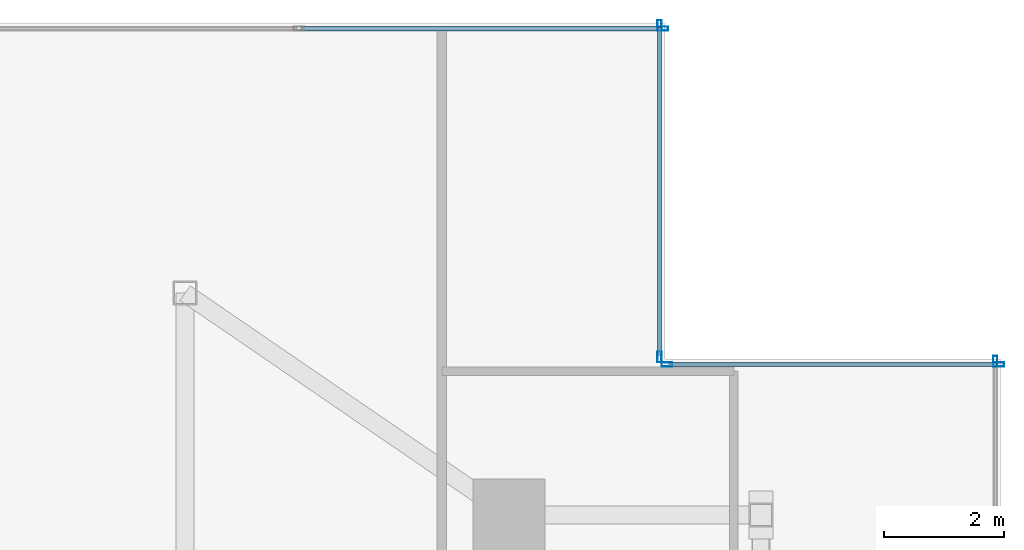
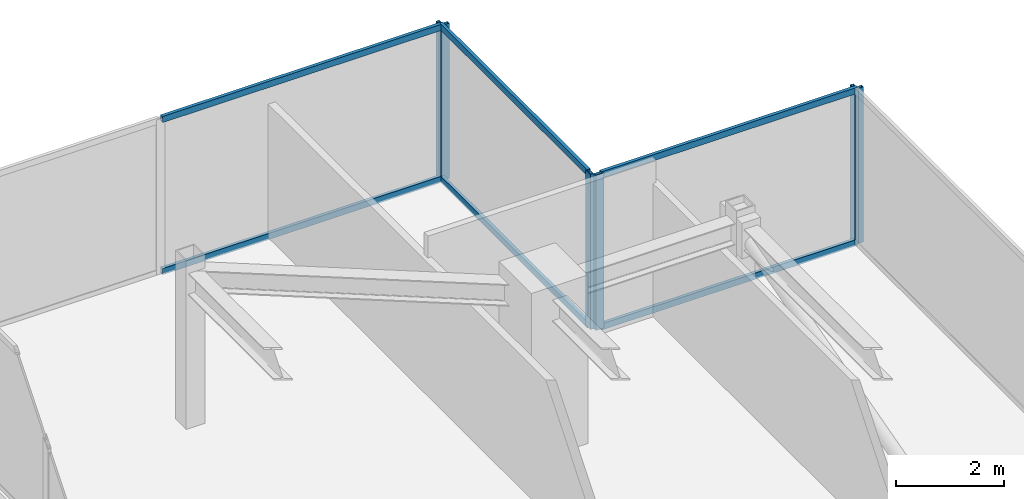
# One storey, part 21 of 25: 12 members, 4 elements without a shape of their own.
"""IFC4 building model written with IfcOpenShell, lengths in metres."""

from ifc_helpers import new_model, si_unit, direction, frame, origin, origin_2d, place, context, subcontext, project, spatial, hollow_rectangle, extrude, source, transform, mapped, material, material_profile, profile_set, type_object, type_shapes, element, aggregate, save


model = new_model("IFC4")

# Units and contexts
model_context = context("Model", 3, precision=1e-05, world=origin(), true_north=direction((0.0, 1.0)))
body_context = subcontext(model_context, "Body", "Model", "MODEL_VIEW")
ifc_project = project(units=[si_unit("LENGTHUNIT", "METRE"), si_unit("AREAUNIT", "SQUARE_METRE"), si_unit("VOLUMEUNIT", "CUBIC_METRE"), si_unit("PLANEANGLEUNIT", "RADIAN"), si_unit("MASSUNIT", "GRAM", prefix="KILO")], contexts=[model_context])

# Site, building, storey
site_placement = place(None, origin())
site = spatial("IfcSite", under=ifc_project, at=site_placement, CompositionType="ELEMENT")
building_placement = place(site_placement, origin())
building = spatial("IfcBuilding", under=site, at=building_placement, Name="Krantzveldt Concourse Tower", CompositionType="ELEMENT")
storey_placement = place(building_placement, frame((0.0, 0.0, 370.85009765625)))
storey = spatial("IfcBuildingStorey", under=building, at=storey_placement, Name="L91", CompositionType="ELEMENT", Elevation=370.85009765625)

# Curtain wall, member
ifc_material = material(Name="Anodised aluminium 6063-T6", Category="aluminium")
curtain_wall_type = type_object("IfcCurtainWallType", Name="CW7", PredefinedType="USERDEFINED", material=ifc_material)
curtain_wall_1_placement = place(storey_placement, origin())
curtain_wall_1 = element("IfcCurtainWall", 1, at=curtain_wall_1_placement, inside=storey, type_object=curtain_wall_type, Name="CW-L91-EAST-03", ObjectType="UNITISED CURTAIN WALL", PredefinedType="USERDEFINED")
ifc_material_profile_1 = material_profile(ifc_material, hollow_rectangle(XDim=0.070068359375, YDim=0.179931640625, WallThickness=0.0048828125, at=origin_2d()), Name="Anodised aluminium 6063-T6", Category="aluminium")
ifc_profile_set_1 = profile_set([ifc_material_profile_1], Name="Anodised aluminium 6063-T6 - ALU-MULL 180x70x5")
member_type_1 = type_object("IfcMemberType", Name="CW-MUL-180", PredefinedType="MULLION", material=ifc_profile_set_1)
shared_shape_1 = source(origin(), body_context, "Body", "SweptSolid", [
    extrude(hollow_rectangle(XDim=0.070068359375, YDim=0.179931640625, WallThickness=0.0048828125, at=origin_2d()), origin(), (0.0, 0.0, 1.0), 3.5),
])
type_shapes(member_type_1, [shared_shape_1])
member_1_placement = place(storey_placement, frame((54.909912109375, 40.06494140625, 0.0), z_axis=(0.0, 0.0, 1.0), x_axis=(-1.0, 0.0, 0.0)))
member_1 = element("IfcMember", 2, at=member_1_placement, type_object=member_type_1, Name="CW-CRN mullion 5", PredefinedType="MULLION", context=body_context, shape_type="MappedRepresentation", body=[
    mapped(shared_shape_1, transform((0.0, 0.0, 0.0), x_axis=(1.0, 0.0, 0.0), y_axis=(0.0, 1.0, 0.0), z_axis=(0.0, 0.0, 1.0), scale=1.0)),
])
aggregate(curtain_wall_1, [member_1])

# Curtain wall, members
curtain_wall_2_placement = place(storey_placement, origin())
curtain_wall_2 = element("IfcCurtainWall", 3, at=curtain_wall_2_placement, inside=storey, type_object=curtain_wall_type, Name="CW-L91-EAST-04", ObjectType="UNITISED CURTAIN WALL", PredefinedType="USERDEFINED")
member_2_placement = place(storey_placement, frame((54.965087890625, 40.010009765625, 0.0), z_axis=(0.0, 0.0, 1.0), x_axis=(0.0, -1.0, 0.0)))
member_2 = element("IfcMember", 4, at=member_2_placement, type_object=member_type_1, Name="CW-CRN mullion 1", PredefinedType="MULLION", context=body_context, shape_type="MappedRepresentation", body=[
    mapped(shared_shape_1, transform((0.0, 0.0, 0.0), x_axis=(1.0, 0.0, 0.0), y_axis=(0.0, 1.0, 0.0), z_axis=(0.0, 0.0, 1.0), scale=1.0)),
])
member_3_placement = place(storey_placement, frame((49.43505859375, 40.010009765625, 0.0), z_axis=(0.0, 0.0, 1.0), x_axis=(0.0, -1.0, 0.0)))
member_3 = element("IfcMember", 5, at=member_3_placement, type_object=member_type_1, Name="CW-CRN mullion 2", PredefinedType="MULLION", context=body_context, shape_type="MappedRepresentation", body=[
    mapped(shared_shape_1, transform((0.0, 0.0, 0.0), x_axis=(1.0, 0.0, 0.0), y_axis=(0.0, 1.0, 0.0), z_axis=(0.0, 0.0, 1.0), scale=1.0)),
])

curtain_wall_3_placement = place(storey_placement, origin())
curtain_wall_3 = element("IfcCurtainWall", 6, at=curtain_wall_3_placement, inside=storey, type_object=curtain_wall_type, Name="CW-L91-EAST-05", ObjectType="UNITISED CURTAIN WALL", PredefinedType="USERDEFINED")
member_4_placement = place(storey_placement, frame((49.31005859375, 40.135009765625, 0.0), z_axis=(0.0, 0.0, 1.0), x_axis=(-1.0, 0.0, 0.0)))
member_4 = element("IfcMember", 7, at=member_4_placement, type_object=member_type_1, Name="CW-CRN mullion 1", PredefinedType="MULLION", context=body_context, shape_type="MappedRepresentation", body=[
    mapped(shared_shape_1, transform((0.0, 0.0, 0.0), x_axis=(1.0, 0.0, 0.0), y_axis=(0.0, 1.0, 0.0), z_axis=(0.0, 0.0, 1.0), scale=1.0)),
])
member_5_placement = place(storey_placement, frame((49.31005859375, 45.6650390625, 0.0), z_axis=(0.0, 0.0, 1.0), x_axis=(-1.0, 0.0, 0.0)))
member_5 = element("IfcMember", 8, at=member_5_placement, type_object=member_type_1, Name="CW-CRN mullion 2", PredefinedType="MULLION", context=body_context, shape_type="MappedRepresentation", body=[
    mapped(shared_shape_1, transform((0.0, 0.0, 0.0), x_axis=(1.0, 0.0, 0.0), y_axis=(0.0, 1.0, 0.0), z_axis=(0.0, 0.0, 1.0), scale=1.0)),
])

# Curtain wall, member
curtain_wall_4_placement = place(storey_placement, origin())
curtain_wall_4 = element("IfcCurtainWall", 9, at=curtain_wall_4_placement, inside=storey, type_object=curtain_wall_type, Name="CW-L91-EAST-06", ObjectType="UNITISED CURTAIN WALL", PredefinedType="USERDEFINED")
member_6_placement = place(storey_placement, frame((49.364990234375, 45.610107421875, 0.0), z_axis=(0.0, 0.0, 1.0), x_axis=(0.0, -1.0, 0.0)))
member_6 = element("IfcMember", 10, at=member_6_placement, type_object=member_type_1, Name="CW-CRN mullion 1", PredefinedType="MULLION", context=body_context, shape_type="MappedRepresentation", body=[
    mapped(shared_shape_1, transform((0.0, 0.0, 0.0), x_axis=(1.0, 0.0, 0.0), y_axis=(0.0, 1.0, 0.0), z_axis=(0.0, 0.0, 1.0), scale=1.0)),
])

# Member
ifc_material_profile_2 = material_profile(ifc_material, hollow_rectangle(XDim=0.070068359375, YDim=0.139892578125, WallThickness=0.0048828125, at=origin_2d()), Name="Anodised aluminium 6063-T6", Category="aluminium")
ifc_profile_set_2 = profile_set([ifc_material_profile_2], Name="Anodised aluminium 6063-T6 - ALU-TRAN 140x70x5")
member_type_2 = type_object("IfcMemberType", Name="CW-TRN-150", PredefinedType="USERDEFINED", material=ifc_profile_set_2)
shared_shape_2 = source(origin(), body_context, "Body", "SweptSolid", [
    extrude(hollow_rectangle(XDim=0.070068359375, YDim=0.139892578125, WallThickness=0.0048828125, at=origin_2d()), origin(), (0.0, 0.0, 1.0), 5.4599609375),
])
member_7_placement = place(storey_placement, frame((54.929931640625, 40.010009765625, 0.034912109375), z_axis=(-1.0, 0.0, 0.0), x_axis=(0.0, -1.0, 0.0)))
member_7 = element("IfcMember", 11, at=member_7_placement, type_object=member_type_2, Name="CW-CRN transom 1.1", ObjectType="TRANSOM", PredefinedType="USERDEFINED", context=body_context, shape_type="MappedRepresentation", body=[
    mapped(shared_shape_2, transform((0.0, 0.0, 0.0), x_axis=(1.0, 0.0, 0.0), y_axis=(0.0, 1.0, 0.0), z_axis=(0.0, 0.0, 1.0), scale=1.0)),
])

member_8_placement = place(storey_placement, frame((54.929931640625, 40.010009765625, 3.46484375), z_axis=(-1.0, 0.0, 0.0), x_axis=(0.0, -1.0, 0.0)))
member_8 = element("IfcMember", 12, at=member_8_placement, type_object=member_type_2, Name="CW-CRN transom 1.2", ObjectType="TRANSOM", PredefinedType="USERDEFINED", context=body_context, shape_type="MappedRepresentation", body=[
    mapped(shared_shape_2, transform((0.0, 0.0, 0.0), x_axis=(1.0, 0.0, 0.0), y_axis=(0.0, 1.0, 0.0), z_axis=(0.0, 0.0, 1.0), scale=1.0)),
])

aggregate(curtain_wall_2, [member_2, member_3, member_7, member_8])

member_9_placement = place(storey_placement, frame((49.31005859375, 40.169921875, 0.034912109375), z_axis=(0.0, 1.0, 0.0), x_axis=(-1.0, 0.0, 0.0)))
member_9 = element("IfcMember", 13, at=member_9_placement, type_object=member_type_2, Name="CW-CRN transom 1.1", ObjectType="TRANSOM", PredefinedType="USERDEFINED", context=body_context, shape_type="MappedRepresentation", body=[
    mapped(shared_shape_2, transform((0.0, 0.0, 0.0), x_axis=(1.0, 0.0, 0.0), y_axis=(0.0, 1.0, 0.0), z_axis=(0.0, 0.0, 1.0), scale=1.0)),
])

member_10_placement = place(storey_placement, frame((49.31005859375, 40.169921875, 3.46484375), z_axis=(0.0, 1.0, 0.0), x_axis=(-1.0, 0.0, 0.0)))
member_10 = element("IfcMember", 14, at=member_10_placement, type_object=member_type_2, Name="CW-CRN transom 1.2", ObjectType="TRANSOM", PredefinedType="USERDEFINED", context=body_context, shape_type="MappedRepresentation", body=[
    mapped(shared_shape_2, transform((0.0, 0.0, 0.0), x_axis=(1.0, 0.0, 0.0), y_axis=(0.0, 1.0, 0.0), z_axis=(0.0, 0.0, 1.0), scale=1.0)),
])

aggregate(curtain_wall_3, [member_4, member_5, member_9, member_10])

shared_shape_3 = source(origin(), body_context, "Body", "SweptSolid", [
    extrude(hollow_rectangle(XDim=0.070068359375, YDim=0.139892578125, WallThickness=0.0048828125, at=origin_2d()), origin(), (0.0, 0.0, 1.0), 5.9951171875),
])
type_shapes(member_type_2, [shared_shape_2, shared_shape_3])
member_11_placement = place(storey_placement, frame((49.330078125, 45.610107421875, 0.034912109375), z_axis=(-1.0, 0.0, 0.0), x_axis=(0.0, -1.0, 0.0)))
member_11 = element("IfcMember", 15, at=member_11_placement, type_object=member_type_2, Name="CW-CRN transom 1.1", ObjectType="TRANSOM", PredefinedType="USERDEFINED", context=body_context, shape_type="MappedRepresentation", body=[
    mapped(shared_shape_3, transform((0.0, 0.0, 0.0), x_axis=(1.0, 0.0, 0.0), y_axis=(0.0, 1.0, 0.0), z_axis=(0.0, 0.0, 1.0), scale=1.0)),
])

member_12_placement = place(storey_placement, frame((49.330078125, 45.610107421875, 3.46484375), z_axis=(-1.0, 0.0, 0.0), x_axis=(0.0, -1.0, 0.0)))
member_12 = element("IfcMember", 16, at=member_12_placement, type_object=member_type_2, Name="CW-CRN transom 1.2", ObjectType="TRANSOM", PredefinedType="USERDEFINED", context=body_context, shape_type="MappedRepresentation", body=[
    mapped(shared_shape_3, transform((0.0, 0.0, 0.0), x_axis=(1.0, 0.0, 0.0), y_axis=(0.0, 1.0, 0.0), z_axis=(0.0, 0.0, 1.0), scale=1.0)),
])

aggregate(curtain_wall_4, [member_6, member_11, member_12])

save(model, "model.ifc")
